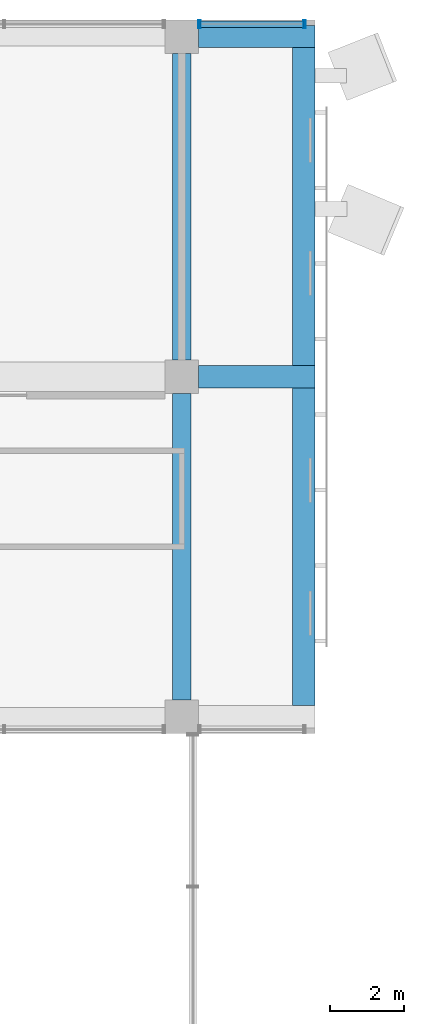
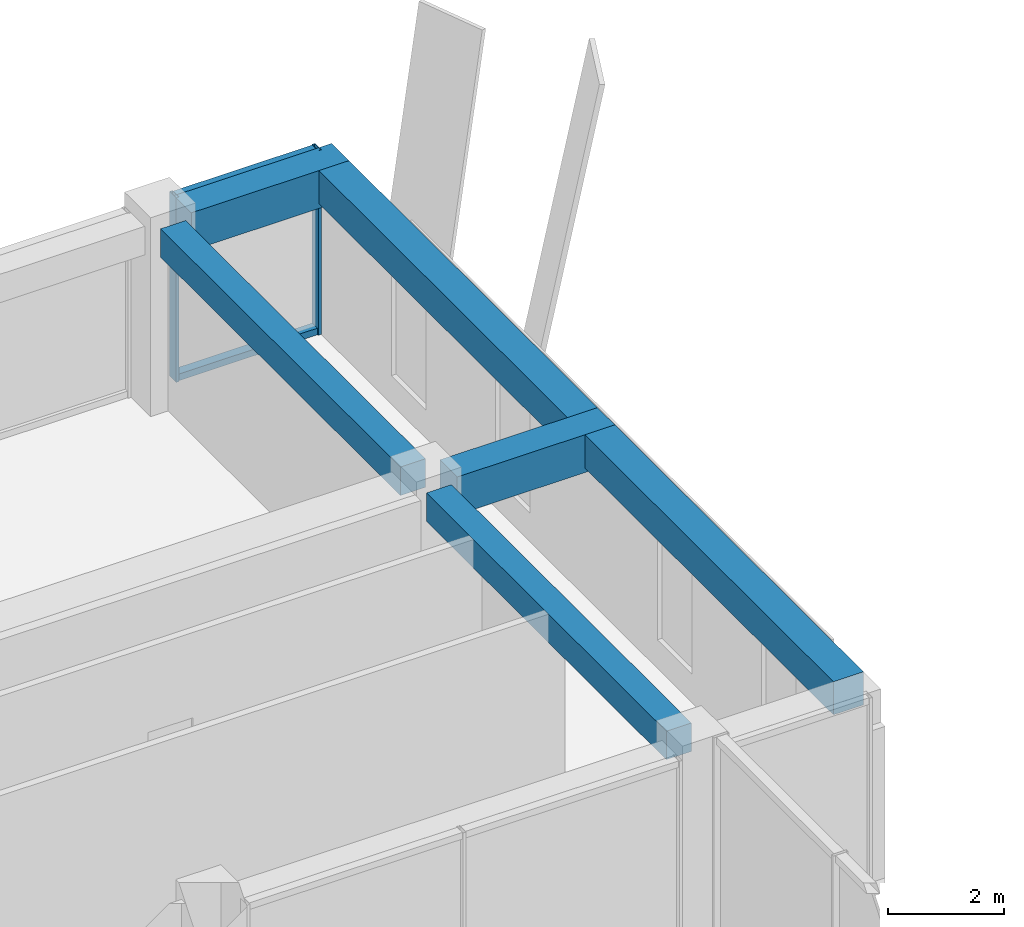
# One storey, part 25 of 37: 6 beams, 4 members, 1 element without a shape of its own.
"""IFC4 building model written with IfcOpenShell, lengths in metres."""

from ifc_helpers import new_model, si_unit, direction, frame, origin, origin_2d, place, context, subcontext, project, spatial, rectangle, hollow_rectangle, extrude, material, layer, layer_set, material_profile, profile_set, type_object, element, aggregate, save


model = new_model("IFC4")

# Units and contexts
model_context = context("Model", 3, precision=1e-05, world=origin(), true_north=direction((0.0, 1.0)))
body_context = subcontext(model_context, "Body", "Model", "MODEL_VIEW")
ifc_project = project(units=[si_unit("LENGTHUNIT", "METRE"), si_unit("AREAUNIT", "SQUARE_METRE"), si_unit("VOLUMEUNIT", "CUBIC_METRE"), si_unit("PLANEANGLEUNIT", "RADIAN"), si_unit("MASSUNIT", "GRAM", prefix="KILO")], contexts=[model_context])

# Site, building, storey
site_placement = place(None, origin())
site = spatial("IfcSite", under=ifc_project, at=site_placement, CompositionType="ELEMENT")
building_placement = place(site_placement, origin())
building = spatial("IfcBuilding", under=site, at=building_placement, Name="Nzadi Deep Aquarium and Research Tower", CompositionType="ELEMENT")
storey_placement = place(building_placement, frame((0.0, 0.0, 57.10009765625)))
storey = spatial("IfcBuildingStorey", under=building, at=storey_placement, Name="L11", CompositionType="ELEMENT", Elevation=57.10009765625)

# Curtain wall, members
ifc_material_1 = material(Name="Aluminium unitised frame deep", Category="aluminium")
ifc_layer = layer(ifc_material_1, 0.22509765625)
ifc_layer_set = layer_set([ifc_layer], Name="Aluminium unitised frame deep")
curtain_wall_type = type_object("IfcCurtainWallType", Name="Curtain wall Unitised Deep 225", PredefinedType="NOTDEFINED", material=ifc_layer_set)
curtain_wall_placement = place(storey_placement, origin())
curtain_wall = element("IfcCurtainWall", 1, at=curtain_wall_placement, inside=storey, type_object=curtain_wall_type, Name="Unitised curtain wall blade B north L11", PredefinedType="NOTDEFINED")
ifc_material_2 = material(Name="Aluminium unitised frame deep", Category="aluminium")
ifc_material_profile_1 = material_profile(ifc_material_2, hollow_rectangle(XDim=0.22509765625, YDim=0.06005859375, WallThickness=0.0048828125, at=origin_2d()))
ifc_profile_set_1 = profile_set([ifc_material_profile_1], Name="Aluminium unitised frame deep")
member_type_1 = type_object("IfcMemberType", Name="Mullion 60x225 Unitised Deep", PredefinedType="MULLION", material=ifc_profile_set_1)
member_1_placement = place(storey_placement, frame((48.47998046875, 46.33740234375, 0.0), z_axis=(0.0, 0.0, 1.0), x_axis=(0.0, 1.0, 0.0)))
member_1 = element("IfcMember", 2, at=member_1_placement, type_object=member_type_1, Name="CW151 mullion 1", PredefinedType="MULLION", context=body_context, shape_type="SweptSolid", body=[
    extrude(hollow_rectangle(XDim=0.22509765625, YDim=0.06005859375, WallThickness=0.0048828125, at=origin_2d()), origin(), (0.0, 0.0, 1.0), 3.89990234375),
])
member_2_placement = place(storey_placement, frame((51.320068359375, 46.33740234375, 0.0), z_axis=(0.0, 0.0, 1.0), x_axis=(0.0, 1.0, 0.0)))
member_2 = element("IfcMember", 3, at=member_2_placement, type_object=member_type_1, Name="CW151 mullion 2", PredefinedType="MULLION", context=body_context, shape_type="SweptSolid", body=[
    extrude(hollow_rectangle(XDim=0.22509765625, YDim=0.06005859375, WallThickness=0.0048828125, at=origin_2d()), origin(), (0.0, 0.0, 1.0), 3.89990234375),
])

# Beams
ifc_material_3 = material(Name="Concrete C35/45", Category="concrete")
ifc_material_profile_2 = material_profile(ifc_material_3, rectangle(XDim=0.5, YDim=0.60009765625, at=origin_2d()))
ifc_profile_set_2 = profile_set([ifc_material_profile_2], Name="Concrete C35/45")
beam_type_1 = type_object("IfcBeamType", Name="RC 500x600", PredefinedType="BEAM", material=ifc_profile_set_2)
for number, where, z_axis, x_axis, name in (
    (4, (48.0, 28.050048828125, 3.599853515625), (0.0, 1.0, 0.0), (-1.0, 0.0, 0.0), "B-Z1-L11-CF-1-4"),
    (5, (48.0, 37.25, 3.599853515625), (0.0, 1.0, 0.0), (-1.0, 0.0, 0.0), "B-Z1-L11-CF-2-4"),
):
    element("IfcBeam", number, at=place(storey_placement, frame(where, z_axis=z_axis, x_axis=x_axis)), inside=storey, type_object=beam_type_1, Name=name, PredefinedType="BEAM", context=body_context, shape_type="SweptSolid", body=[
        extrude(rectangle(XDim=0.5, YDim=0.60009765625, at=origin_2d()), origin(), (0.0, 0.0, 1.0), 8.300048828125),
    ])
ifc_material_4 = material(Name="Concrete C35/45", Category="concrete")
ifc_material_profile_3 = material_profile(ifc_material_4, rectangle(XDim=0.60009765625, YDim=0.699951171875, at=origin_2d()))
ifc_profile_set_3 = profile_set([ifc_material_profile_3], Name="Concrete C35/45")
beam_type_2 = type_object("IfcBeamType", Name="RC 600x700", PredefinedType="BEAM", material=ifc_profile_set_3)
beam_1_placement = place(storey_placement, frame((51.300048828125, 27.89990234375, 3.5498046875), z_axis=(0.0, 1.0, 0.0), x_axis=(-1.0, 0.0, 0.0)))
element("IfcBeam", 6, at=beam_1_placement, inside=storey, type_object=beam_type_2, Name="B-Z1-L11-TIP1", PredefinedType="BEAM", context=body_context, shape_type="SweptSolid", body=[
    extrude(rectangle(XDim=0.60009765625, YDim=0.699951171875, at=origin_2d()), origin(), (0.0, 0.0, 1.0), 8.60009765625),
])
beam_2_placement = place(storey_placement, frame((51.300048828125, 37.10009765625, 3.5498046875), z_axis=(0.0, 1.0, 0.0), x_axis=(-1.0, 0.0, 0.0)))
element("IfcBeam", 7, at=beam_2_placement, inside=storey, type_object=beam_type_2, Name="B-Z1-L11-TIP2", PredefinedType="BEAM", context=body_context, shape_type="SweptSolid", body=[
    extrude(rectangle(XDim=0.60009765625, YDim=0.699951171875, at=origin_2d()), origin(), (0.0, 0.0, 1.0), 8.599853515625),
])
ifc_material_5 = material(Name="Concrete C35/45", Category="concrete")
ifc_material_profile_4 = material_profile(ifc_material_5, rectangle(XDim=0.60009765625, YDim=0.800048828125, at=origin_2d()))
ifc_profile_set_4 = profile_set([ifc_material_profile_4], Name="Concrete C35/45")
beam_type_3 = type_object("IfcBeamType", Name="RC 600x800", PredefinedType="BEAM", material=ifc_profile_set_4)
for number, where, z_axis, x_axis, name in (
    (8, (48.449951171875, 36.800048828125, 3.5), (1.0, 0.0, 0.0), (0.0, 1.0, 0.0), "B-Z1-L11-CANT5"),
    (9, (48.449951171875, 46.0, 3.5), (1.0, 0.0, 0.0), (0.0, 1.0, 0.0), "B-Z1-L11-CANT6"),
):
    element("IfcBeam", number, at=place(storey_placement, frame(where, z_axis=z_axis, x_axis=x_axis)), inside=storey, type_object=beam_type_3, Name=name, PredefinedType="BEAM", context=body_context, shape_type="SweptSolid", body=[
        extrude(rectangle(XDim=0.60009765625, YDim=0.800048828125, at=origin_2d()), origin(), (0.0, 0.0, 1.0), 3.150146484375),
    ])

# Member
ifc_material_6 = material(Name="Aluminium unitised frame deep", Category="aluminium")
ifc_material_profile_5 = material_profile(ifc_material_6, hollow_rectangle(XDim=0.179931640625, YDim=0.139892578125, WallThickness=0.0048828125, at=origin_2d()))
ifc_profile_set_5 = profile_set([ifc_material_profile_5], Name="Aluminium unitised frame deep")
member_type_2 = type_object("IfcMemberType", Name="Transom 140x180 Unitised Deep", PredefinedType="MULLION", material=ifc_profile_set_5)
member_3_placement = place(storey_placement, frame((48.510009765625, 46.33740234375, 0.06982421875), z_axis=(1.0, 0.0, 0.0), x_axis=(0.0, 1.0, 0.0)))
member_3 = element("IfcMember", 10, at=member_3_placement, type_object=member_type_2, Name="CW151 transom 1.1", PredefinedType="MULLION", context=body_context, shape_type="SweptSolid", body=[
    extrude(hollow_rectangle(XDim=0.179931640625, YDim=0.139892578125, WallThickness=0.0048828125, at=origin_2d()), origin(), (0.0, 0.0, 1.0), 2.780029296875),
])

member_4_placement = place(storey_placement, frame((48.510009765625, 46.33740234375, 3.829833984375), z_axis=(1.0, 0.0, 0.0), x_axis=(0.0, 1.0, 0.0)))
member_4 = element("IfcMember", 11, at=member_4_placement, type_object=member_type_2, Name="CW151 transom 1.2", PredefinedType="MULLION", context=body_context, shape_type="SweptSolid", body=[
    extrude(hollow_rectangle(XDim=0.179931640625, YDim=0.139892578125, WallThickness=0.0048828125, at=origin_2d()), origin(), (0.0, 0.0, 1.0), 2.780029296875),
])

aggregate(curtain_wall, [member_1, member_2, member_3, member_4])

save(model, "model.ifc")
